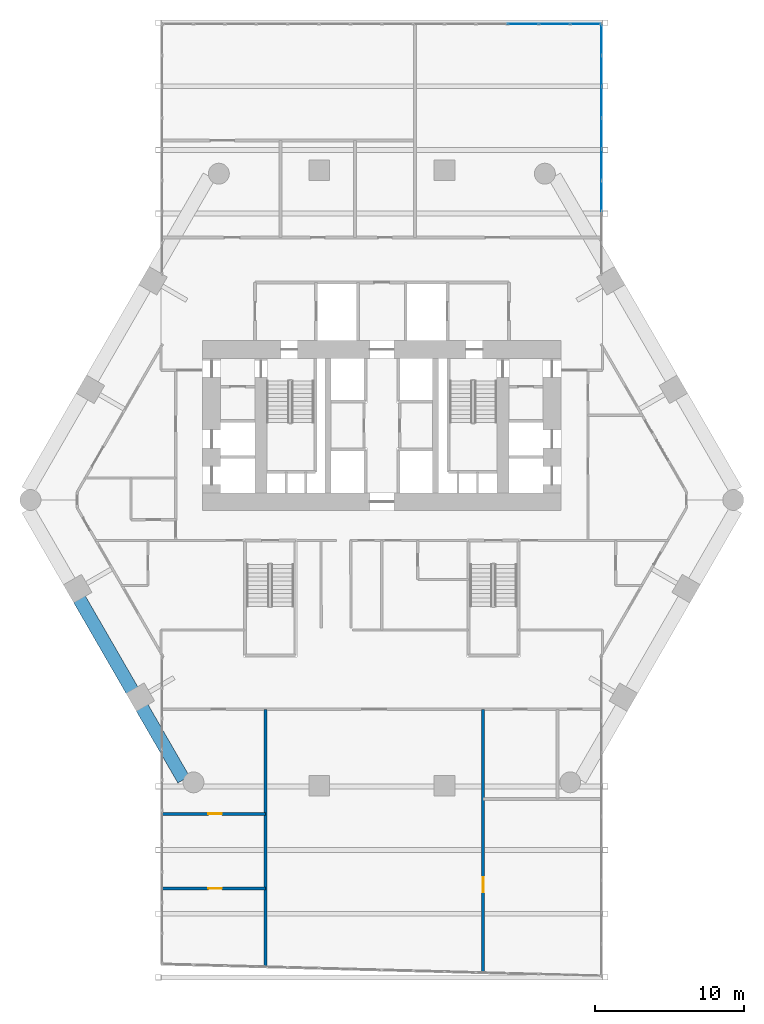
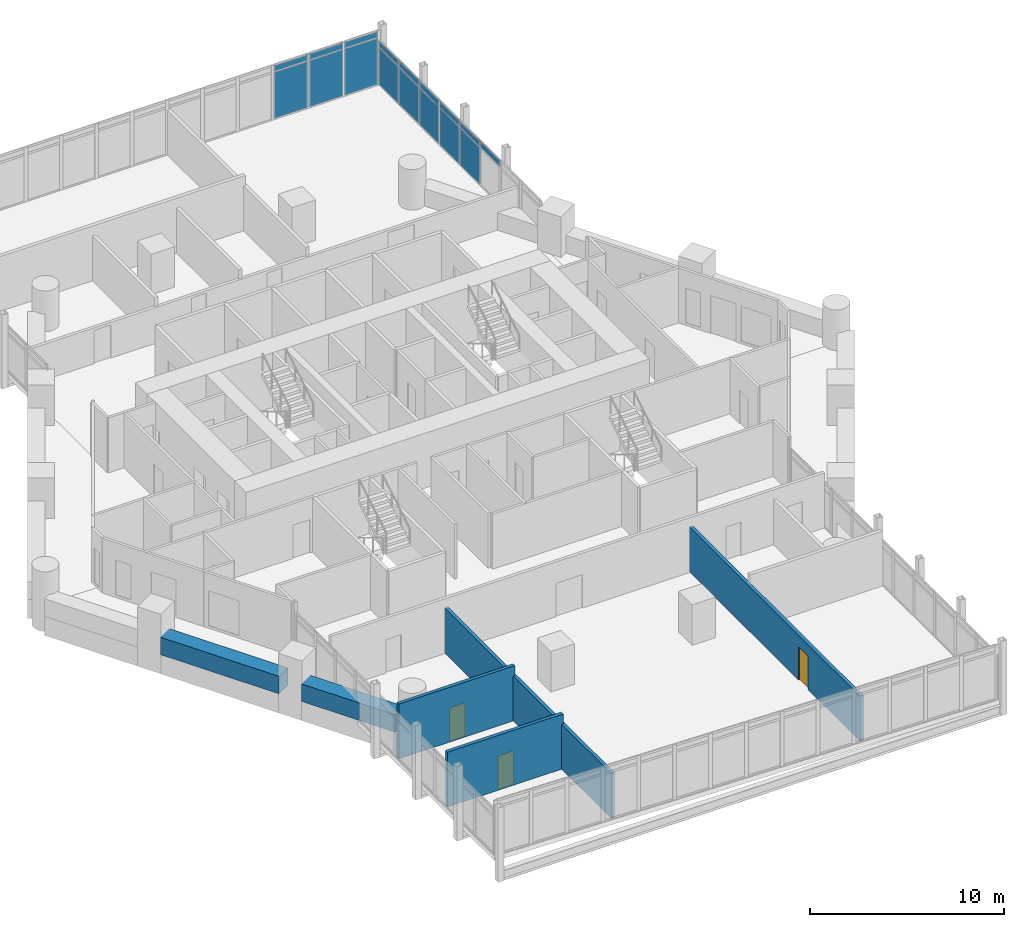
# One storey, part 22 of 28: 17 plates, 6 walls, 3 doors, 3 openings, 2 elements without a shape of their own.
"""IFC4 building model written with IfcOpenShell, lengths in metres."""

from ifc_helpers import new_model, si_unit, direction, frame, frame_2d, origin, origin_2d, place, context, subcontext, project, spatial, rectangle, extrude, material, layer, layer_set, type_object, element, fill, aggregate, save


model = new_model("IFC4")

# Units and contexts
model_context = context("Model", 3, precision=1e-05, world=origin(), true_north=direction((0.0, 1.0)))
body_context = subcontext(model_context, "Body", "Model", "MODEL_VIEW")
ifc_project = project(units=[si_unit("LENGTHUNIT", "METRE"), si_unit("AREAUNIT", "SQUARE_METRE"), si_unit("VOLUMEUNIT", "CUBIC_METRE"), si_unit("PLANEANGLEUNIT", "RADIAN"), si_unit("MASSUNIT", "GRAM", prefix="KILO")], contexts=[model_context])

# Site, building, storey
site_placement = place(None, origin())
site = spatial("IfcSite", under=ifc_project, at=site_placement, CompositionType="ELEMENT")
building_placement = place(site_placement, origin())
building = spatial("IfcBuilding", under=site, at=building_placement, Name="Ostrander Bayou Hotel Tower", CompositionType="ELEMENT")
storey_placement = place(building_placement, frame((0.0, 0.0, 76.75)))
storey = spatial("IfcBuildingStorey", under=building, at=storey_placement, Name="L19", CompositionType="ELEMENT", Elevation=76.75)

# Curtain wall, plates
ifc_material_1 = material(Name="Aluminium and clear glass", Category="aluminium")
curtain_wall_type = type_object("IfcCurtainWallType", Name="CW-BAR glazed wall", PredefinedType="NOTDEFINED", material=ifc_material_1)
curtain_wall_1_placement = place(storey_placement, origin())
curtain_wall_1 = element("IfcCurtainWall", 1, at=curtain_wall_1_placement, inside=storey, type_object=curtain_wall_type, Name="CW-BAR L19:SB1N:T", PredefinedType="NOTDEFINED")
ifc_material_2 = material(Name="Clear laminated glass", Category="glass")
ifc_layer_1 = layer(ifc_material_2, 0.028076171875)
ifc_layer_set_1 = layer_set([ifc_layer_1], Name="CW-BR glazing panel 28 mm")
plate_type = type_object("IfcPlateType", Name="CW-BR glazing panel 28 mm", PredefinedType="CURTAIN_PANEL", material=ifc_layer_set_1)
plate_1_placement = place(storey_placement, frame((9.457763671875, 30.88623046875, 0.06005859375), z_axis=(0.0, 0.0, 1.0), x_axis=(1.0, 0.0, 0.0)))
plate_1 = element("IfcPlate", 2, at=plate_1_placement, type_object=plate_type, Name="CW-BAR panel 12.1", PredefinedType="CURTAIN_PANEL", context=body_context, shape_type="SweptSolid", body=[
    extrude(rectangle(XDim=2.041748046875, YDim=0.028076171875, at=origin_2d()), origin(), (0.0, 0.0, 1.0), 2.909912109375),
])
plate_2_placement = place(storey_placement, frame((9.457763671875, 30.88623046875, 3.02978515625), z_axis=(0.0, 0.0, 1.0), x_axis=(1.0, 0.0, 0.0)))
plate_2 = element("IfcPlate", 3, at=plate_2_placement, type_object=plate_type, Name="CW-BAR panel 12.2", PredefinedType="CURTAIN_PANEL", context=body_context, shape_type="SweptSolid", body=[
    extrude(rectangle(XDim=2.041748046875, YDim=0.028076171875, at=origin_2d()), origin(), (0.0, 0.0, 1.0), 0.360107421875),
])
plate_3_placement = place(storey_placement, frame((11.5595703125, 30.88623046875, 0.06005859375), z_axis=(0.0, 0.0, 1.0), x_axis=(1.0, 0.0, 0.0)))
plate_3 = element("IfcPlate", 4, at=plate_3_placement, type_object=plate_type, Name="CW-BAR panel 13.1", PredefinedType="CURTAIN_PANEL", context=body_context, shape_type="SweptSolid", body=[
    extrude(rectangle(XDim=2.041748046875, YDim=0.028076171875, at=origin_2d()), origin(), (0.0, 0.0, 1.0), 2.909912109375),
])
plate_4_placement = place(storey_placement, frame((11.5595703125, 30.88623046875, 3.02978515625), z_axis=(0.0, 0.0, 1.0), x_axis=(1.0, 0.0, 0.0)))
plate_4 = element("IfcPlate", 5, at=plate_4_placement, type_object=plate_type, Name="CW-BAR panel 13.2", PredefinedType="CURTAIN_PANEL", context=body_context, shape_type="SweptSolid", body=[
    extrude(rectangle(XDim=2.041748046875, YDim=0.028076171875, at=origin_2d()), origin(), (0.0, 0.0, 1.0), 0.360107421875),
])
plate_5_placement = place(storey_placement, frame((13.646240234375, 30.88623046875, 0.06005859375), z_axis=(0.0, 0.0, 1.0), x_axis=(1.0, 0.0, 0.0)))
plate_5 = element("IfcPlate", 6, at=plate_5_placement, type_object=plate_type, Name="CW-BAR panel 14.1", PredefinedType="CURTAIN_PANEL", context=body_context, shape_type="SweptSolid", body=[
    extrude(rectangle(XDim=2.01171875, YDim=0.028076171875, at=origin_2d()), origin(), (0.0, 0.0, 1.0), 2.909912109375),
])
plate_6_placement = place(storey_placement, frame((13.646240234375, 30.88623046875, 3.02978515625), z_axis=(0.0, 0.0, 1.0), x_axis=(1.0, 0.0, 0.0)))
plate_6 = element("IfcPlate", 7, at=plate_6_placement, type_object=plate_type, Name="CW-BAR panel 14.2", PredefinedType="CURTAIN_PANEL", context=body_context, shape_type="SweptSolid", body=[
    extrude(rectangle(XDim=2.01171875, YDim=0.028076171875, at=origin_2d()), origin(), (0.0, 0.0, 1.0), 0.360107421875),
])
aggregate(curtain_wall_1, [plate_1, plate_2, plate_3, plate_4, plate_5, plate_6])

curtain_wall_2_placement = place(storey_placement, origin())
curtain_wall_2 = element("IfcCurtainWall", 8, at=curtain_wall_2_placement, inside=storey, type_object=curtain_wall_type, Name="CW-BAR L19:SB1N:W", PredefinedType="NOTDEFINED")
plate_7_placement = place(storey_placement, frame((14.712158203125, 19.3779296875, 2.43017578125), z_axis=(0.0, 0.0, 1.0), x_axis=(0.0, 1.0, 0.0)))
plate_7 = element("IfcPlate", 9, at=plate_7_placement, type_object=plate_type, Name="CW-BAR panel 3.2", PredefinedType="CURTAIN_PANEL", context=body_context, shape_type="SweptSolid", body=[
    extrude(rectangle(XDim=2.032470703125, YDim=0.028076171875, at=origin_2d()), origin(), (0.0, 0.0, 1.0), 0.360107421875),
])
plate_8_placement = place(storey_placement, frame((14.712158203125, 21.47021484375, 0.06005859375), z_axis=(0.0, 0.0, 1.0), x_axis=(0.0, 1.0, 0.0)))
plate_8 = element("IfcPlate", 10, at=plate_8_placement, type_object=plate_type, Name="CW-BAR panel 4.1", PredefinedType="CURTAIN_PANEL", context=body_context, shape_type="SweptSolid", body=[
    extrude(rectangle(XDim=2.032470703125, YDim=0.028076171875, at=origin_2d()), origin(), (0.0, 0.0, 1.0), 2.31005859375),
])
plate_9_placement = place(storey_placement, frame((14.712158203125, 21.47021484375, 2.43017578125), z_axis=(0.0, 0.0, 1.0), x_axis=(0.0, 1.0, 0.0)))
plate_9 = element("IfcPlate", 11, at=plate_9_placement, type_object=plate_type, Name="CW-BAR panel 4.2", PredefinedType="CURTAIN_PANEL", context=body_context, shape_type="SweptSolid", body=[
    extrude(rectangle(XDim=2.032470703125, YDim=0.028076171875, at=origin_2d()), origin(), (0.0, 0.0, 1.0), 0.360107421875),
])
plate_10_placement = place(storey_placement, frame((14.712158203125, 23.562744140625, 0.06005859375), z_axis=(0.0, 0.0, 1.0), x_axis=(0.0, 1.0, 0.0)))
plate_10 = element("IfcPlate", 12, at=plate_10_placement, type_object=plate_type, Name="CW-BAR panel 5.1", PredefinedType="CURTAIN_PANEL", context=body_context, shape_type="SweptSolid", body=[
    extrude(rectangle(XDim=2.032470703125, YDim=0.028076171875, at=origin_2d()), origin(), (0.0, 0.0, 1.0), 2.31005859375),
])
plate_11_placement = place(storey_placement, frame((14.712158203125, 23.562744140625, 2.43017578125), z_axis=(0.0, 0.0, 1.0), x_axis=(0.0, 1.0, 0.0)))
plate_11 = element("IfcPlate", 13, at=plate_11_placement, type_object=plate_type, Name="CW-BAR panel 5.2", PredefinedType="CURTAIN_PANEL", context=body_context, shape_type="SweptSolid", body=[
    extrude(rectangle(XDim=2.032470703125, YDim=0.028076171875, at=origin_2d()), origin(), (0.0, 0.0, 1.0), 0.360107421875),
])
plate_12_placement = place(storey_placement, frame((14.712158203125, 25.655029296875, 0.06005859375), z_axis=(0.0, 0.0, 1.0), x_axis=(0.0, 1.0, 0.0)))
plate_12 = element("IfcPlate", 14, at=plate_12_placement, type_object=plate_type, Name="CW-BAR panel 6.1", PredefinedType="CURTAIN_PANEL", context=body_context, shape_type="SweptSolid", body=[
    extrude(rectangle(XDim=2.032470703125, YDim=0.028076171875, at=origin_2d()), origin(), (0.0, 0.0, 1.0), 2.31005859375),
])
plate_13_placement = place(storey_placement, frame((14.712158203125, 25.655029296875, 2.43017578125), z_axis=(0.0, 0.0, 1.0), x_axis=(0.0, 1.0, 0.0)))
plate_13 = element("IfcPlate", 15, at=plate_13_placement, type_object=plate_type, Name="CW-BAR panel 6.2", PredefinedType="CURTAIN_PANEL", context=body_context, shape_type="SweptSolid", body=[
    extrude(rectangle(XDim=2.032470703125, YDim=0.028076171875, at=origin_2d()), origin(), (0.0, 0.0, 1.0), 0.360107421875),
])
plate_14_placement = place(storey_placement, frame((14.712158203125, 27.74755859375, 0.06005859375), z_axis=(0.0, 0.0, 1.0), x_axis=(0.0, 1.0, 0.0)))
plate_14 = element("IfcPlate", 16, at=plate_14_placement, type_object=plate_type, Name="CW-BAR panel 7.1", PredefinedType="CURTAIN_PANEL", context=body_context, shape_type="SweptSolid", body=[
    extrude(rectangle(XDim=2.032470703125, YDim=0.028076171875, at=origin_2d()), origin(), (0.0, 0.0, 1.0), 2.31005859375),
])
plate_15_placement = place(storey_placement, frame((14.712158203125, 27.74755859375, 2.43017578125), z_axis=(0.0, 0.0, 1.0), x_axis=(0.0, 1.0, 0.0)))
plate_15 = element("IfcPlate", 17, at=plate_15_placement, type_object=plate_type, Name="CW-BAR panel 7.2", PredefinedType="CURTAIN_PANEL", context=body_context, shape_type="SweptSolid", body=[
    extrude(rectangle(XDim=2.032470703125, YDim=0.028076171875, at=origin_2d()), origin(), (0.0, 0.0, 1.0), 0.360107421875),
])
plate_16_placement = place(storey_placement, frame((14.712158203125, 29.824951171875, 0.06005859375), z_axis=(0.0, 0.0, 1.0), x_axis=(0.0, 1.0, 0.0)))
plate_16 = element("IfcPlate", 18, at=plate_16_placement, type_object=plate_type, Name="CW-BAR panel 8.1", PredefinedType="CURTAIN_PANEL", context=body_context, shape_type="SweptSolid", body=[
    extrude(rectangle(XDim=2.00244140625, YDim=0.028076171875, at=origin_2d()), origin(), (0.0, 0.0, 1.0), 2.31005859375),
])
plate_17_placement = place(storey_placement, frame((14.712158203125, 29.824951171875, 2.43017578125), z_axis=(0.0, 0.0, 1.0), x_axis=(0.0, 1.0, 0.0)))
plate_17 = element("IfcPlate", 19, at=plate_17_placement, type_object=plate_type, Name="CW-BAR panel 8.2", PredefinedType="CURTAIN_PANEL", context=body_context, shape_type="SweptSolid", body=[
    extrude(rectangle(XDim=2.00244140625, YDim=0.028076171875, at=origin_2d()), origin(), (0.0, 0.0, 1.0), 0.360107421875),
])
aggregate(curtain_wall_2, [plate_7, plate_8, plate_9, plate_10, plate_11, plate_12, plate_13, plate_14, plate_15, plate_16, plate_17])

# Walls
ifc_material_3 = material(Name="Limestone masonry", Category="masonry")
ifc_layer_2 = layer(ifc_material_3, 0.89990234375)
ifc_layer_set_2 = layer_set([ifc_layer_2], Name="PA2 limestone parapet 900 mm")
wall_type_1 = type_object("IfcWallType", Name="PA2 limestone parapet 900 mm", PredefinedType="PARAPET", material=ifc_layer_set_2)
wall_1_placement = place(storey_placement, frame((-20.252197265625, -7.621826171875, 0.0), z_axis=(0.0, 0.0, 1.0), x_axis=(0.499997206141, -0.866027016814, 0.0)))
element("IfcWall", 20, at=wall_1_placement, inside=storey, type_object=wall_type_1, Name="PA2 L19 SW-2", PredefinedType="PARAPET", context=body_context, shape_type="SweptSolid", body=[
    extrude(rectangle(XDim=7.05078125, YDim=0.89990234375, at=frame_2d((3.525390625, 0.0))), origin(), (0.0, 0.0, 1.0), 1.10009765625),
])
wall_2_placement = place(storey_placement, frame((-16.056884765625, -14.888671875, 0.0), z_axis=(0.0, 0.0, 1.0), x_axis=(0.499976681983, -0.866038866029, 0.0)))
element("IfcWall", 21, at=wall_2_placement, inside=storey, type_object=wall_type_1, Name="PA2 L19 SW-3", PredefinedType="PARAPET", context=body_context, shape_type="SweptSolid", body=[
    extrude(rectangle(XDim=5.569580078125, YDim=0.89990234375, at=frame_2d((2.78466796875, 0.0))), origin(), (0.0, 0.0, 1.0), 1.10009765625),
])

# Wall, opening, door
ifc_material_4 = material(Name="Gypsum board partition", Category="finish")
ifc_layer_3 = layer(ifc_material_4, 0.199951171875)
ifc_layer_set_3 = layer_set([ifc_layer_3], Name="PT3 demising wall 200 mm acoustic double stud, 1 hour")
wall_type_2 = type_object("IfcWallType", Name="PT3 demising wall 200 mm acoustic double stud, 1 hour", PredefinedType="PARTITIONING", material=ifc_layer_set_3)
wall_3_placement = place(storey_placement, frame((-14.693115234375, -27.0, 0.0), z_axis=(0.0, 0.0, 1.0), x_axis=(1.0, 0.0, 0.0)))
wall_3 = element("IfcWall", 22, at=wall_3_placement, inside=storey, type_object=wall_type_2, Name="sw:L19:502", PredefinedType="PARTITIONING", context=body_context, shape_type="SweptSolid", body=[
    extrude(rectangle(XDim=6.906005859375, YDim=0.199951171875, at=frame_2d((3.453125, 0.0))), origin(), (0.0, 0.0, 1.0), 3.449951171875),
])
opening_1_placement = place(wall_3_placement, frame((3.071044921875, 0.0, 0.0)))
opening_1 = element("IfcOpeningElement", 23, at=opening_1_placement, cuts=wall_3, Name="Opening T18-1202", PredefinedType="OPENING", context=body_context, shape_type="SweptSolid", body=[
    extrude(rectangle(XDim=0.89990234375, YDim=2.10009765625, at=frame_2d((0.449951171875, 1.050048828125))), frame((0.0, 0.10009765625, 0.0), z_axis=(0.0, -1.0, 0.0), x_axis=(1.0, 0.0, 0.0)), (0.0, 0.0, 1.0), 0.199951171875),
])
ifc_material_5 = material(Name="Timber door leaf", Category="wood")
door_type_1 = type_object("IfcDoorType", Name="D8 room door 900 x 2100 mm", OperationType="SINGLE_SWING_LEFT", PredefinedType="DOOR", material=ifc_material_5)
door_1_placement = place(opening_1_placement, origin())
door_1 = element("IfcDoor", 24, at=door_1_placement, inside=storey, type_object=door_type_1, Name="dr:L19:1202", OperationType="SINGLE_SWING_RIGHT", OverallHeight=2.10009765625, OverallWidth=0.89990234375, PredefinedType="DOOR", context=body_context, shape_type="SweptSolid", body=[
    extrude(rectangle(XDim=0.89990234375, YDim=2.10009765625, at=frame_2d((0.449951171875, 1.050048828125))), frame((0.0, 0.02490234375, 0.0), z_axis=(0.0, -1.0, 0.0), x_axis=(1.0, 0.0, 0.0)), (0.0, 0.0, 1.0), 0.050048828125),
])
fill(opening_1, door_1)

wall_4_placement = place(storey_placement, frame((-14.693115234375, -22.0, 0.0), z_axis=(0.0, 0.0, 1.0), x_axis=(1.0, 0.0, 0.0)))
wall_4 = element("IfcWall", 25, at=wall_4_placement, inside=storey, type_object=wall_type_2, Name="sw:L19:503", PredefinedType="PARTITIONING", context=body_context, shape_type="SweptSolid", body=[
    extrude(rectangle(XDim=6.906005859375, YDim=0.199951171875, at=frame_2d((3.453125, 0.0))), origin(), (0.0, 0.0, 1.0), 3.449951171875),
])
opening_2_placement = place(wall_4_placement, frame((3.071044921875, 0.0, 0.0)))
opening_2 = element("IfcOpeningElement", 26, at=opening_2_placement, cuts=wall_4, Name="Opening T18-1201", PredefinedType="OPENING", context=body_context, shape_type="SweptSolid", body=[
    extrude(rectangle(XDim=0.89990234375, YDim=2.10009765625, at=frame_2d((0.449951171875, 1.050048828125))), frame((0.0, 0.10009765625, 0.0), z_axis=(0.0, -1.0, 0.0), x_axis=(1.0, 0.0, 0.0)), (0.0, 0.0, 1.0), 0.199951171875),
])
door_2_placement = place(opening_2_placement, origin())
door_2 = element("IfcDoor", 27, at=door_2_placement, inside=storey, type_object=door_type_1, Name="dr:L19:1201", OperationType="SINGLE_SWING_LEFT", OverallHeight=2.10009765625, OverallWidth=0.89990234375, PredefinedType="DOOR", context=body_context, shape_type="SweptSolid", body=[
    extrude(rectangle(XDim=0.89990234375, YDim=2.10009765625, at=frame_2d((0.449951171875, 1.050048828125))), frame((0.0, 0.02490234375, 0.0), z_axis=(0.0, -1.0, 0.0), x_axis=(1.0, 0.0, 0.0)), (0.0, 0.0, 1.0), 0.050048828125),
])
fill(opening_2, door_2)

# Wall
wall_5_placement = place(storey_placement, frame((-7.787109375, -32.22021484375, 0.0), z_axis=(0.0, 0.0, 1.0), x_axis=(0.0, 1.0, 0.0)))
element("IfcWall", 28, at=wall_5_placement, inside=storey, type_object=wall_type_2, Name="sw:L19:506", PredefinedType="PARTITIONING", context=body_context, shape_type="SweptSolid", body=[
    extrude(rectangle(XDim=17.22021484375, YDim=0.199951171875, at=frame_2d((8.610107421875, 0.0))), origin(), (0.0, 0.0, 1.0), 2.828125),
])

# Wall, opening, door
wall_6_placement = place(storey_placement, frame((6.787109375, -32.614501953125, 0.0), z_axis=(0.0, 0.0, 1.0), x_axis=(0.0, 1.0, 0.0)))
wall_6 = element("IfcWall", 29, at=wall_6_placement, inside=storey, type_object=wall_type_2, Name="sw:L19:510", PredefinedType="PARTITIONING", context=body_context, shape_type="SweptSolid", body=[
    extrude(rectangle(XDim=17.614501953125, YDim=0.199951171875, at=frame_2d((8.80712890625, 0.0))), origin(), (0.0, 0.0, 1.0), 2.828125),
])
opening_3_placement = place(wall_6_placement, frame((5.36279296875, 0.0, 0.0)))
opening_3 = element("IfcOpeningElement", 30, at=opening_3_placement, cuts=wall_6, Name="Opening T18-1203", PredefinedType="OPENING", context=body_context, shape_type="SweptSolid", body=[
    extrude(rectangle(XDim=1.0, YDim=2.10009765625, at=frame_2d((0.5, 1.050048828125))), frame((0.0, 0.10009765625, 0.0), z_axis=(0.0, -1.0, 0.0), x_axis=(1.0, 0.0, 0.0)), (0.0, 0.0, 1.0), 0.199951171875),
])
ifc_material_6 = material(Name="Timber door leaf", Category="wood")
door_type_2 = type_object("IfcDoorType", Name="D9 service door 1000 x 2100 mm, 30 minute", OperationType="SINGLE_SWING_LEFT", PredefinedType="DOOR", material=ifc_material_6)
door_3_placement = place(opening_3_placement, origin())
door_3 = element("IfcDoor", 31, at=door_3_placement, inside=storey, type_object=door_type_2, Name="dr:L19:1203", OperationType="SINGLE_SWING_LEFT", OverallHeight=2.10009765625, OverallWidth=1.0, PredefinedType="DOOR", context=body_context, shape_type="SweptSolid", body=[
    extrude(rectangle(XDim=1.0, YDim=2.10009765625, at=frame_2d((0.5, 1.050048828125))), frame((0.0, 0.02490234375, 0.0), z_axis=(0.0, -1.0, 0.0), x_axis=(1.0, 0.0, 0.0)), (0.0, 0.0, 1.0), 0.050048828125),
])
fill(opening_3, door_3)

save(model, "model.ifc")
